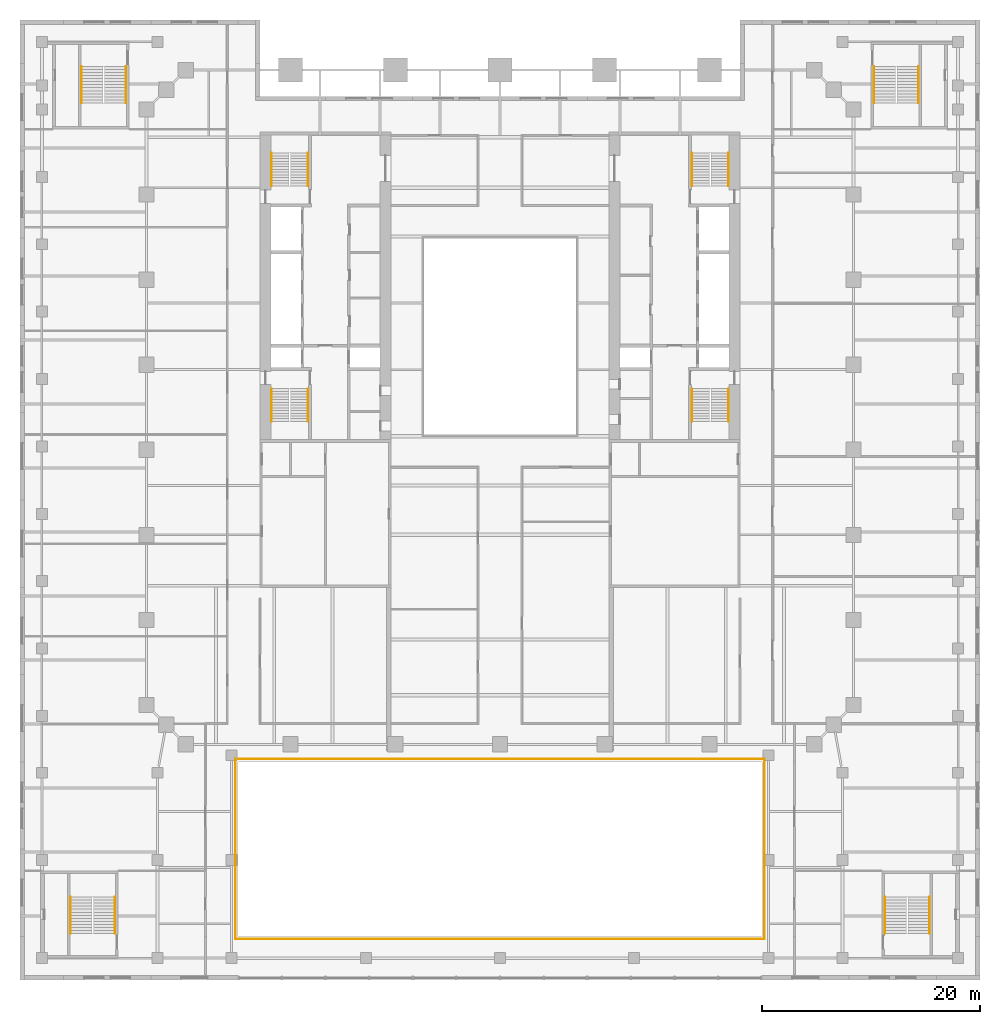
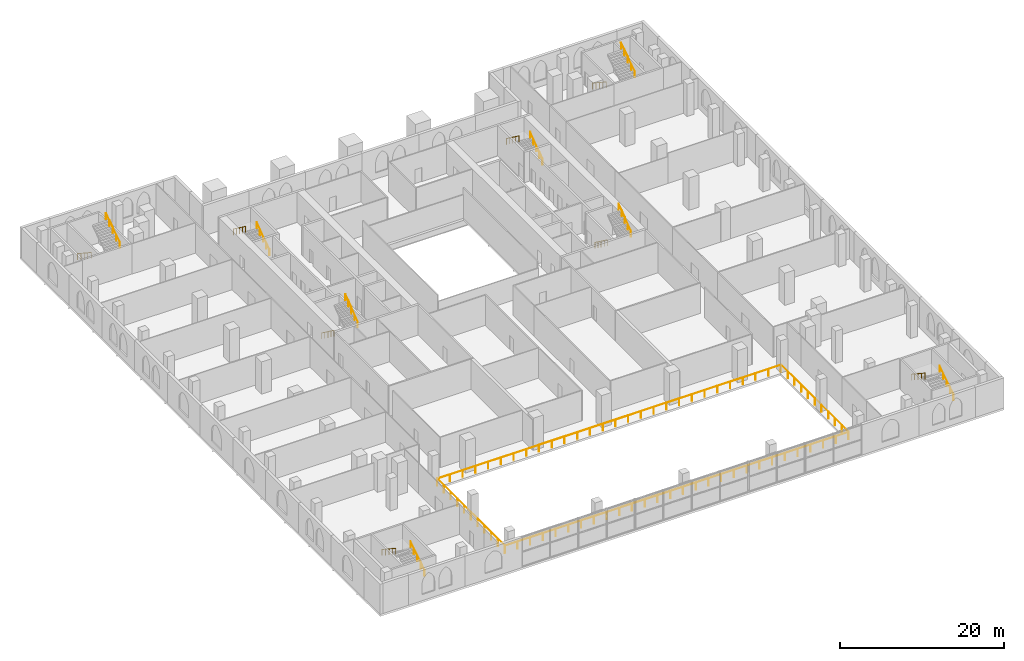
# One storey, part 19 of 19: 20 railings.
"""IFC4 building model written with IfcOpenShell, lengths in metres."""

from ifc_helpers import new_model, si_unit, direction, frame, origin, origin_2d, place, context, subcontext, project, spatial, circle, extrude, material, type_object, element, save


model = new_model("IFC4")

# Units and contexts
model_context = context("Model", 3, precision=1e-05, world=origin(), true_north=direction((0.0, 1.0)))
body_context = subcontext(model_context, "Body", "Model", "MODEL_VIEW")
ifc_project = project(units=[si_unit("LENGTHUNIT", "METRE"), si_unit("AREAUNIT", "SQUARE_METRE"), si_unit("VOLUMEUNIT", "CUBIC_METRE"), si_unit("PLANEANGLEUNIT", "RADIAN"), si_unit("MASSUNIT", "GRAM", prefix="KILO")], contexts=[model_context])

# Site, building, storey
site_placement = place(None, origin())
site = spatial("IfcSite", under=ifc_project, at=site_placement, CompositionType="ELEMENT")
building_placement = place(site_placement, origin())
building = spatial("IfcBuilding", under=site, at=building_placement, Name="Ogive Exchange Tower", CompositionType="ELEMENT")
storey_placement = place(building_placement, frame((0.0, 0.0, 19.199951171875)))
storey = spatial("IfcBuildingStorey", under=building, at=storey_placement, Name="L03", CompositionType="ELEMENT", Elevation=19.199951171875)

# Railings
ifc_material_1 = material(Name="Stainless steel 316", Category="steel")
railing_type_1 = type_object("IfcRailingType", Name="Balustrade 1100 glass and stainless steel", PredefinedType="BALUSTRADE", material=ifc_material_1)
railing_1_placement = place(storey_placement, frame((-24.25, -48.25, 0.0)))
element("IfcRailing", 1, at=railing_1_placement, inside=storey, type_object=railing_type_1, Name="Galleria edge balustrade 1", PredefinedType="BALUSTRADE", context=body_context, shape_type="SweptSolid", body=[
    extrude(circle(Radius=0.02392578125, at=origin_2d()), frame((0.0, 0.0, 1.076171875), z_axis=(1.0, 0.0, 0.0), x_axis=(0.0, 1.0, 0.0)), (0.0, 0.0, 1.0), 48.5),
    extrude(circle(Radius=0.02099609375, at=origin_2d()), origin(), (0.0, 0.0, 1.0), 1.052001953125),
    extrude(circle(Radius=0.02099609375, at=origin_2d()), frame((1.79638671875, 0.0, 0.0)), (0.0, 0.0, 1.0), 1.052001953125),
    extrude(circle(Radius=0.02099609375, at=origin_2d()), frame((3.592529296875, 0.0, 0.0)), (0.0, 0.0, 1.0), 1.052001953125),
    extrude(circle(Radius=0.02099609375, at=origin_2d()), frame((5.388916015625, 0.0, 0.0)), (0.0, 0.0, 1.0), 1.052001953125),
    extrude(circle(Radius=0.02099609375, at=origin_2d()), frame((7.185302734375, 0.0, 0.0)), (0.0, 0.0, 1.0), 1.052001953125),
    extrude(circle(Radius=0.02099609375, at=origin_2d()), frame((8.9814453125, 0.0, 0.0)), (0.0, 0.0, 1.0), 1.052001953125),
    extrude(circle(Radius=0.02099609375, at=origin_2d()), frame((10.77783203125, 0.0, 0.0)), (0.0, 0.0, 1.0), 1.052001953125),
    extrude(circle(Radius=0.02099609375, at=origin_2d()), frame((12.573974609375, 0.0, 0.0)), (0.0, 0.0, 1.0), 1.052001953125),
    extrude(circle(Radius=0.02099609375, at=origin_2d()), frame((14.370361328125, 0.0, 0.0)), (0.0, 0.0, 1.0), 1.052001953125),
    extrude(circle(Radius=0.02099609375, at=origin_2d()), frame((16.166748046875, 0.0, 0.0)), (0.0, 0.0, 1.0), 1.052001953125),
    extrude(circle(Radius=0.02099609375, at=origin_2d()), frame((17.962890625, 0.0, 0.0)), (0.0, 0.0, 1.0), 1.052001953125),
    extrude(circle(Radius=0.02099609375, at=origin_2d()), frame((19.75927734375, 0.0, 0.0)), (0.0, 0.0, 1.0), 1.052001953125),
    extrude(circle(Radius=0.02099609375, at=origin_2d()), frame((21.5556640625, 0.0, 0.0)), (0.0, 0.0, 1.0), 1.052001953125),
    extrude(circle(Radius=0.02099609375, at=origin_2d()), frame((23.351806640625, 0.0, 0.0)), (0.0, 0.0, 1.0), 1.052001953125),
    extrude(circle(Radius=0.02099609375, at=origin_2d()), frame((25.148193359375, 0.0, 0.0)), (0.0, 0.0, 1.0), 1.052001953125),
    extrude(circle(Radius=0.02099609375, at=origin_2d()), frame((26.9443359375, 0.0, 0.0)), (0.0, 0.0, 1.0), 1.052001953125),
    extrude(circle(Radius=0.02099609375, at=origin_2d()), frame((28.74072265625, 0.0, 0.0)), (0.0, 0.0, 1.0), 1.052001953125),
    extrude(circle(Radius=0.02099609375, at=origin_2d()), frame((30.537109375, 0.0, 0.0)), (0.0, 0.0, 1.0), 1.052001953125),
    extrude(circle(Radius=0.02099609375, at=origin_2d()), frame((32.333251953125, 0.0, 0.0)), (0.0, 0.0, 1.0), 1.052001953125),
    extrude(circle(Radius=0.02099609375, at=origin_2d()), frame((34.129638671875, 0.0, 0.0)), (0.0, 0.0, 1.0), 1.052001953125),
    extrude(circle(Radius=0.02099609375, at=origin_2d()), frame((35.926025390625, 0.0, 0.0)), (0.0, 0.0, 1.0), 1.052001953125),
    extrude(circle(Radius=0.02099609375, at=origin_2d()), frame((37.72216796875, 0.0, 0.0)), (0.0, 0.0, 1.0), 1.052001953125),
    extrude(circle(Radius=0.02099609375, at=origin_2d()), frame((39.5185546875, 0.0, 0.0)), (0.0, 0.0, 1.0), 1.052001953125),
    extrude(circle(Radius=0.02099609375, at=origin_2d()), frame((41.314697265625, 0.0, 0.0)), (0.0, 0.0, 1.0), 1.052001953125),
    extrude(circle(Radius=0.02099609375, at=origin_2d()), frame((43.111083984375, 0.0, 0.0)), (0.0, 0.0, 1.0), 1.052001953125),
    extrude(circle(Radius=0.02099609375, at=origin_2d()), frame((44.907470703125, 0.0, 0.0)), (0.0, 0.0, 1.0), 1.052001953125),
    extrude(circle(Radius=0.02099609375, at=origin_2d()), frame((46.70361328125, 0.0, 0.0)), (0.0, 0.0, 1.0), 1.052001953125),
    extrude(circle(Radius=0.02099609375, at=origin_2d()), frame((48.5, 0.0, 0.0)), (0.0, 0.0, 1.0), 1.052001953125),
])
railing_2_placement = place(storey_placement, frame((24.25, -48.25, 0.0)))
element("IfcRailing", 2, at=railing_2_placement, inside=storey, type_object=railing_type_1, Name="Galleria edge balustrade 2", PredefinedType="BALUSTRADE", context=body_context, shape_type="SweptSolid", body=[
    extrude(circle(Radius=0.02392578125, at=origin_2d()), frame((0.0, 0.0, 1.076171875), z_axis=(0.0, 1.0, 0.0), x_axis=(-1.0, 0.0, 0.0)), (0.0, 0.0, 1.0), 16.5),
    extrude(circle(Radius=0.02099609375, at=origin_2d()), origin(), (0.0, 0.0, 1.0), 1.052001953125),
    extrude(circle(Radius=0.02099609375, at=origin_2d()), frame((0.0, 1.64990234375, 0.0)), (0.0, 0.0, 1.0), 1.052001953125),
    extrude(circle(Radius=0.02099609375, at=origin_2d()), frame((0.0, 3.300048828125, 0.0)), (0.0, 0.0, 1.0), 1.052001953125),
    extrude(circle(Radius=0.02099609375, at=origin_2d()), frame((0.0, 4.949951171875, 0.0)), (0.0, 0.0, 1.0), 1.052001953125),
    extrude(circle(Radius=0.02099609375, at=origin_2d()), frame((0.0, 6.60009765625, 0.0)), (0.0, 0.0, 1.0), 1.052001953125),
    extrude(circle(Radius=0.02099609375, at=origin_2d()), frame((0.0, 8.25, 0.0)), (0.0, 0.0, 1.0), 1.052001953125),
    extrude(circle(Radius=0.02099609375, at=origin_2d()), frame((0.0, 9.89990234375, 0.0)), (0.0, 0.0, 1.0), 1.052001953125),
    extrude(circle(Radius=0.02099609375, at=origin_2d()), frame((0.0, 11.550048828125, 0.0)), (0.0, 0.0, 1.0), 1.052001953125),
    extrude(circle(Radius=0.02099609375, at=origin_2d()), frame((0.0, 13.199951171875, 0.0)), (0.0, 0.0, 1.0), 1.052001953125),
    extrude(circle(Radius=0.02099609375, at=origin_2d()), frame((0.0, 14.85009765625, 0.0)), (0.0, 0.0, 1.0), 1.052001953125),
    extrude(circle(Radius=0.02099609375, at=origin_2d()), frame((0.0, 16.5, 0.0)), (0.0, 0.0, 1.0), 1.052001953125),
])
railing_3_placement = place(storey_placement, frame((24.25, -31.75, 0.0)))
element("IfcRailing", 3, at=railing_3_placement, inside=storey, type_object=railing_type_1, Name="Galleria edge balustrade 3", PredefinedType="BALUSTRADE", context=body_context, shape_type="SweptSolid", body=[
    extrude(circle(Radius=0.02392578125, at=origin_2d()), frame((0.0, 0.0, 1.076171875), z_axis=(-1.0, 0.0, 0.0), x_axis=(0.0, -1.0, 0.0)), (0.0, 0.0, 1.0), 48.5),
    extrude(circle(Radius=0.02099609375, at=origin_2d()), origin(), (0.0, 0.0, 1.0), 1.052001953125),
    extrude(circle(Radius=0.02099609375, at=origin_2d()), frame((-1.79638671875, 0.0, 0.0)), (0.0, 0.0, 1.0), 1.052001953125),
    extrude(circle(Radius=0.02099609375, at=origin_2d()), frame((-3.592529296875, 0.0, 0.0)), (0.0, 0.0, 1.0), 1.052001953125),
    extrude(circle(Radius=0.02099609375, at=origin_2d()), frame((-5.388916015625, 0.0, 0.0)), (0.0, 0.0, 1.0), 1.052001953125),
    extrude(circle(Radius=0.02099609375, at=origin_2d()), frame((-7.185302734375, 0.0, 0.0)), (0.0, 0.0, 1.0), 1.052001953125),
    extrude(circle(Radius=0.02099609375, at=origin_2d()), frame((-8.9814453125, 0.0, 0.0)), (0.0, 0.0, 1.0), 1.052001953125),
    extrude(circle(Radius=0.02099609375, at=origin_2d()), frame((-10.77783203125, 0.0, 0.0)), (0.0, 0.0, 1.0), 1.052001953125),
    extrude(circle(Radius=0.02099609375, at=origin_2d()), frame((-12.573974609375, 0.0, 0.0)), (0.0, 0.0, 1.0), 1.052001953125),
    extrude(circle(Radius=0.02099609375, at=origin_2d()), frame((-14.370361328125, 0.0, 0.0)), (0.0, 0.0, 1.0), 1.052001953125),
    extrude(circle(Radius=0.02099609375, at=origin_2d()), frame((-16.166748046875, 0.0, 0.0)), (0.0, 0.0, 1.0), 1.052001953125),
    extrude(circle(Radius=0.02099609375, at=origin_2d()), frame((-17.962890625, 0.0, 0.0)), (0.0, 0.0, 1.0), 1.052001953125),
    extrude(circle(Radius=0.02099609375, at=origin_2d()), frame((-19.75927734375, 0.0, 0.0)), (0.0, 0.0, 1.0), 1.052001953125),
    extrude(circle(Radius=0.02099609375, at=origin_2d()), frame((-21.5556640625, 0.0, 0.0)), (0.0, 0.0, 1.0), 1.052001953125),
    extrude(circle(Radius=0.02099609375, at=origin_2d()), frame((-23.351806640625, 0.0, 0.0)), (0.0, 0.0, 1.0), 1.052001953125),
    extrude(circle(Radius=0.02099609375, at=origin_2d()), frame((-25.148193359375, 0.0, 0.0)), (0.0, 0.0, 1.0), 1.052001953125),
    extrude(circle(Radius=0.02099609375, at=origin_2d()), frame((-26.9443359375, 0.0, 0.0)), (0.0, 0.0, 1.0), 1.052001953125),
    extrude(circle(Radius=0.02099609375, at=origin_2d()), frame((-28.74072265625, 0.0, 0.0)), (0.0, 0.0, 1.0), 1.052001953125),
    extrude(circle(Radius=0.02099609375, at=origin_2d()), frame((-30.537109375, 0.0, 0.0)), (0.0, 0.0, 1.0), 1.052001953125),
    extrude(circle(Radius=0.02099609375, at=origin_2d()), frame((-32.333251953125, 0.0, 0.0)), (0.0, 0.0, 1.0), 1.052001953125),
    extrude(circle(Radius=0.02099609375, at=origin_2d()), frame((-34.129638671875, 0.0, 0.0)), (0.0, 0.0, 1.0), 1.052001953125),
    extrude(circle(Radius=0.02099609375, at=origin_2d()), frame((-35.926025390625, 0.0, 0.0)), (0.0, 0.0, 1.0), 1.052001953125),
    extrude(circle(Radius=0.02099609375, at=origin_2d()), frame((-37.72216796875, 0.0, 0.0)), (0.0, 0.0, 1.0), 1.052001953125),
    extrude(circle(Radius=0.02099609375, at=origin_2d()), frame((-39.5185546875, 0.0, 0.0)), (0.0, 0.0, 1.0), 1.052001953125),
    extrude(circle(Radius=0.02099609375, at=origin_2d()), frame((-41.314697265625, 0.0, 0.0)), (0.0, 0.0, 1.0), 1.052001953125),
    extrude(circle(Radius=0.02099609375, at=origin_2d()), frame((-43.111083984375, 0.0, 0.0)), (0.0, 0.0, 1.0), 1.052001953125),
    extrude(circle(Radius=0.02099609375, at=origin_2d()), frame((-44.907470703125, 0.0, 0.0)), (0.0, 0.0, 1.0), 1.052001953125),
    extrude(circle(Radius=0.02099609375, at=origin_2d()), frame((-46.70361328125, 0.0, 0.0)), (0.0, 0.0, 1.0), 1.052001953125),
    extrude(circle(Radius=0.02099609375, at=origin_2d()), frame((-48.5, 0.0, 0.0)), (0.0, 0.0, 1.0), 1.052001953125),
])
railing_4_placement = place(storey_placement, frame((-24.25, -31.75, 0.0)))
element("IfcRailing", 4, at=railing_4_placement, inside=storey, type_object=railing_type_1, Name="Galleria edge balustrade 4", PredefinedType="BALUSTRADE", context=body_context, shape_type="SweptSolid", body=[
    extrude(circle(Radius=0.02392578125, at=origin_2d()), frame((0.0, 0.0, 1.076171875), z_axis=(0.0, -1.0, 0.0), x_axis=(1.0, 0.0, 0.0)), (0.0, 0.0, 1.0), 16.5),
    extrude(circle(Radius=0.02099609375, at=origin_2d()), origin(), (0.0, 0.0, 1.0), 1.052001953125),
    extrude(circle(Radius=0.02099609375, at=origin_2d()), frame((0.0, -1.64990234375, 0.0)), (0.0, 0.0, 1.0), 1.052001953125),
    extrude(circle(Radius=0.02099609375, at=origin_2d()), frame((0.0, -3.300048828125, 0.0)), (0.0, 0.0, 1.0), 1.052001953125),
    extrude(circle(Radius=0.02099609375, at=origin_2d()), frame((0.0, -4.949951171875, 0.0)), (0.0, 0.0, 1.0), 1.052001953125),
    extrude(circle(Radius=0.02099609375, at=origin_2d()), frame((0.0, -6.60009765625, 0.0)), (0.0, 0.0, 1.0), 1.052001953125),
    extrude(circle(Radius=0.02099609375, at=origin_2d()), frame((0.0, -8.25, 0.0)), (0.0, 0.0, 1.0), 1.052001953125),
    extrude(circle(Radius=0.02099609375, at=origin_2d()), frame((0.0, -9.89990234375, 0.0)), (0.0, 0.0, 1.0), 1.052001953125),
    extrude(circle(Radius=0.02099609375, at=origin_2d()), frame((0.0, -11.550048828125, 0.0)), (0.0, 0.0, 1.0), 1.052001953125),
    extrude(circle(Radius=0.02099609375, at=origin_2d()), frame((0.0, -13.199951171875, 0.0)), (0.0, 0.0, 1.0), 1.052001953125),
    extrude(circle(Radius=0.02099609375, at=origin_2d()), frame((0.0, -14.85009765625, 0.0)), (0.0, 0.0, 1.0), 1.052001953125),
    extrude(circle(Radius=0.02099609375, at=origin_2d()), frame((0.0, -16.5, 0.0)), (0.0, 0.0, 1.0), 1.052001953125),
])
ifc_material_2 = material(Name="Stainless steel", Category="steel")
railing_type_2 = type_object("IfcRailingType", Name="Stair handrail 900", PredefinedType="HANDRAIL", material=ifc_material_2)
railing_5_placement = place(storey_placement, frame((-20.949951171875, 2.199951171875, 0.1845703125)))
element("IfcRailing", 5, at=railing_5_placement, inside=storey, type_object=railing_type_2, Name="L03 ST1 stair handrail 1", PredefinedType="HANDRAIL", context=body_context, shape_type="SweptSolid", body=[
    extrude(circle(Radius=0.02392578125, at=origin_2d()), frame((0.0, 0.0, 0.8759765625), z_axis=(0.0, -0.804408721428, 0.594076265214), x_axis=(1.0, 0.0, 0.0)), (0.0, 0.0, 1.0), 3.7294921875),
    extrude(circle(Radius=0.02099609375, at=origin_2d()), origin(), (0.0, 0.0, 1.0), 0.851806640625),
    extrude(circle(Radius=0.02099609375, at=origin_2d()), frame((0.0, -0.75, 0.553955078125)), (0.0, 0.0, 1.0), 0.851806640625),
    extrude(circle(Radius=0.02099609375, at=origin_2d()), frame((0.0, -1.5, 1.10791015625)), (0.0, 0.0, 1.0), 0.851806640625),
    extrude(circle(Radius=0.02099609375, at=origin_2d()), frame((0.0, -2.25, 1.66162109375)), (0.0, 0.0, 1.0), 0.851806640625),
    extrude(circle(Radius=0.02099609375, at=origin_2d()), frame((0.0, -3.0, 2.215576171875)), (0.0, 0.0, 1.0), 0.851806640625),
])
railing_6_placement = place(storey_placement, frame((-17.60009765625, -0.800048828125, 2.584716796875)))
element("IfcRailing", 6, at=railing_6_placement, inside=storey, type_object=railing_type_2, Name="L03 ST1 stair handrail 2", PredefinedType="HANDRAIL", context=body_context, shape_type="SweptSolid", body=[
    extrude(circle(Radius=0.02392578125, at=origin_2d()), frame((0.0, 0.0, 0.8759765625), z_axis=(0.0, 0.804440004972, 0.594033903411), x_axis=(-1.0, 0.0, 0.0)), (0.0, 0.0, 1.0), 3.729248046875),
    extrude(circle(Radius=0.02099609375, at=origin_2d()), origin(), (0.0, 0.0, 1.0), 0.851806640625),
    extrude(circle(Radius=0.02099609375, at=origin_2d()), frame((0.0, 0.75, 0.5537109375)), (0.0, 0.0, 1.0), 0.851806640625),
    extrude(circle(Radius=0.02099609375, at=origin_2d()), frame((0.0, 1.5, 1.107666015625)), (0.0, 0.0, 1.0), 0.851806640625),
    extrude(circle(Radius=0.02099609375, at=origin_2d()), frame((0.0, 2.25, 1.66162109375)), (0.0, 0.0, 1.0), 0.851806640625),
    extrude(circle(Radius=0.02099609375, at=origin_2d()), frame((0.0, 3.0, 2.21533203125)), (0.0, 0.0, 1.0), 0.851806640625),
])
railing_7_placement = place(storey_placement, frame((-17.60009765625, 20.800048828125, 0.1845703125)))
element("IfcRailing", 7, at=railing_7_placement, inside=storey, type_object=railing_type_2, Name="L03 ST2 stair handrail 1", PredefinedType="HANDRAIL", context=body_context, shape_type="SweptSolid", body=[
    extrude(circle(Radius=0.02392578125, at=origin_2d()), frame((0.0, 0.0, 0.8759765625), z_axis=(0.0, 0.804408721428, 0.594076265214), x_axis=(-1.0, 0.0, 0.0)), (0.0, 0.0, 1.0), 3.7294921875),
    extrude(circle(Radius=0.02099609375, at=origin_2d()), origin(), (0.0, 0.0, 1.0), 0.851806640625),
    extrude(circle(Radius=0.02099609375, at=origin_2d()), frame((0.0, 0.75, 0.553955078125)), (0.0, 0.0, 1.0), 0.851806640625),
    extrude(circle(Radius=0.02099609375, at=origin_2d()), frame((0.0, 1.5, 1.10791015625)), (0.0, 0.0, 1.0), 0.851806640625),
    extrude(circle(Radius=0.02099609375, at=origin_2d()), frame((0.0, 2.25, 1.66162109375)), (0.0, 0.0, 1.0), 0.851806640625),
    extrude(circle(Radius=0.02099609375, at=origin_2d()), frame((0.0, 3.0, 2.215576171875)), (0.0, 0.0, 1.0), 0.851806640625),
])
railing_8_placement = place(storey_placement, frame((-20.949951171875, 23.800048828125, 2.584716796875)))
element("IfcRailing", 8, at=railing_8_placement, inside=storey, type_object=railing_type_2, Name="L03 ST2 stair handrail 2", PredefinedType="HANDRAIL", context=body_context, shape_type="SweptSolid", body=[
    extrude(circle(Radius=0.02392578125, at=origin_2d()), frame((0.0, 0.0, 0.8759765625), z_axis=(0.0, -0.804440004972, 0.594033903411), x_axis=(1.0, 0.0, 0.0)), (0.0, 0.0, 1.0), 3.729248046875),
    extrude(circle(Radius=0.02099609375, at=origin_2d()), origin(), (0.0, 0.0, 1.0), 0.851806640625),
    extrude(circle(Radius=0.02099609375, at=origin_2d()), frame((0.0, -0.75, 0.5537109375)), (0.0, 0.0, 1.0), 0.851806640625),
    extrude(circle(Radius=0.02099609375, at=origin_2d()), frame((0.0, -1.5, 1.107666015625)), (0.0, 0.0, 1.0), 0.851806640625),
    extrude(circle(Radius=0.02099609375, at=origin_2d()), frame((0.0, -2.25, 1.66162109375)), (0.0, 0.0, 1.0), 0.851806640625),
    extrude(circle(Radius=0.02099609375, at=origin_2d()), frame((0.0, -3.0, 2.21533203125)), (0.0, 0.0, 1.0), 0.851806640625),
])
railing_9_placement = place(storey_placement, frame((17.60009765625, 2.199951171875, 0.1845703125)))
element("IfcRailing", 9, at=railing_9_placement, inside=storey, type_object=railing_type_2, Name="L03 ST3 stair handrail 1", PredefinedType="HANDRAIL", context=body_context, shape_type="SweptSolid", body=[
    extrude(circle(Radius=0.02392578125, at=origin_2d()), frame((0.0, 0.0, 0.8759765625), z_axis=(0.0, -0.804408721428, 0.594076265214), x_axis=(1.0, 0.0, 0.0)), (0.0, 0.0, 1.0), 3.7294921875),
    extrude(circle(Radius=0.02099609375, at=origin_2d()), origin(), (0.0, 0.0, 1.0), 0.851806640625),
    extrude(circle(Radius=0.02099609375, at=origin_2d()), frame((0.0, -0.75, 0.553955078125)), (0.0, 0.0, 1.0), 0.851806640625),
    extrude(circle(Radius=0.02099609375, at=origin_2d()), frame((0.0, -1.5, 1.10791015625)), (0.0, 0.0, 1.0), 0.851806640625),
    extrude(circle(Radius=0.02099609375, at=origin_2d()), frame((0.0, -2.25, 1.66162109375)), (0.0, 0.0, 1.0), 0.851806640625),
    extrude(circle(Radius=0.02099609375, at=origin_2d()), frame((0.0, -3.0, 2.215576171875)), (0.0, 0.0, 1.0), 0.851806640625),
])
railing_10_placement = place(storey_placement, frame((20.949951171875, -0.800048828125, 2.584716796875)))
element("IfcRailing", 10, at=railing_10_placement, inside=storey, type_object=railing_type_2, Name="L03 ST3 stair handrail 2", PredefinedType="HANDRAIL", context=body_context, shape_type="SweptSolid", body=[
    extrude(circle(Radius=0.02392578125, at=origin_2d()), frame((0.0, 0.0, 0.8759765625), z_axis=(0.0, 0.804440004972, 0.594033903411), x_axis=(-1.0, 0.0, 0.0)), (0.0, 0.0, 1.0), 3.729248046875),
    extrude(circle(Radius=0.02099609375, at=origin_2d()), origin(), (0.0, 0.0, 1.0), 0.851806640625),
    extrude(circle(Radius=0.02099609375, at=origin_2d()), frame((0.0, 0.75, 0.5537109375)), (0.0, 0.0, 1.0), 0.851806640625),
    extrude(circle(Radius=0.02099609375, at=origin_2d()), frame((0.0, 1.5, 1.107666015625)), (0.0, 0.0, 1.0), 0.851806640625),
    extrude(circle(Radius=0.02099609375, at=origin_2d()), frame((0.0, 2.25, 1.66162109375)), (0.0, 0.0, 1.0), 0.851806640625),
    extrude(circle(Radius=0.02099609375, at=origin_2d()), frame((0.0, 3.0, 2.21533203125)), (0.0, 0.0, 1.0), 0.851806640625),
])
railing_11_placement = place(storey_placement, frame((20.949951171875, 20.800048828125, 0.1845703125)))
element("IfcRailing", 11, at=railing_11_placement, inside=storey, type_object=railing_type_2, Name="L03 ST4 stair handrail 1", PredefinedType="HANDRAIL", context=body_context, shape_type="SweptSolid", body=[
    extrude(circle(Radius=0.02392578125, at=origin_2d()), frame((0.0, 0.0, 0.8759765625), z_axis=(0.0, 0.804408721428, 0.594076265214), x_axis=(-1.0, 0.0, 0.0)), (0.0, 0.0, 1.0), 3.7294921875),
    extrude(circle(Radius=0.02099609375, at=origin_2d()), origin(), (0.0, 0.0, 1.0), 0.851806640625),
    extrude(circle(Radius=0.02099609375, at=origin_2d()), frame((0.0, 0.75, 0.553955078125)), (0.0, 0.0, 1.0), 0.851806640625),
    extrude(circle(Radius=0.02099609375, at=origin_2d()), frame((0.0, 1.5, 1.10791015625)), (0.0, 0.0, 1.0), 0.851806640625),
    extrude(circle(Radius=0.02099609375, at=origin_2d()), frame((0.0, 2.25, 1.66162109375)), (0.0, 0.0, 1.0), 0.851806640625),
    extrude(circle(Radius=0.02099609375, at=origin_2d()), frame((0.0, 3.0, 2.215576171875)), (0.0, 0.0, 1.0), 0.851806640625),
])
railing_12_placement = place(storey_placement, frame((17.60009765625, 23.800048828125, 2.584716796875)))
element("IfcRailing", 12, at=railing_12_placement, inside=storey, type_object=railing_type_2, Name="L03 ST4 stair handrail 2", PredefinedType="HANDRAIL", context=body_context, shape_type="SweptSolid", body=[
    extrude(circle(Radius=0.02392578125, at=origin_2d()), frame((0.0, 0.0, 0.8759765625), z_axis=(0.0, -0.804440004972, 0.594033903411), x_axis=(1.0, 0.0, 0.0)), (0.0, 0.0, 1.0), 3.729248046875),
    extrude(circle(Radius=0.02099609375, at=origin_2d()), origin(), (0.0, 0.0, 1.0), 0.851806640625),
    extrude(circle(Radius=0.02099609375, at=origin_2d()), frame((0.0, -0.75, 0.5537109375)), (0.0, 0.0, 1.0), 0.851806640625),
    extrude(circle(Radius=0.02099609375, at=origin_2d()), frame((0.0, -1.5, 1.107666015625)), (0.0, 0.0, 1.0), 0.851806640625),
    extrude(circle(Radius=0.02099609375, at=origin_2d()), frame((0.0, -2.25, 1.66162109375)), (0.0, 0.0, 1.0), 0.851806640625),
    extrude(circle(Radius=0.02099609375, at=origin_2d()), frame((0.0, -3.0, 2.21533203125)), (0.0, 0.0, 1.0), 0.851806640625),
])
railing_13_placement = place(storey_placement, frame((-35.300048828125, -47.75, 0.1845703125)))
element("IfcRailing", 13, at=railing_13_placement, inside=storey, type_object=railing_type_2, Name="L03 PS1 stair handrail 1", PredefinedType="HANDRAIL", context=body_context, shape_type="SweptSolid", body=[
    extrude(circle(Radius=0.02392578125, at=origin_2d()), frame((0.0, 0.0, 0.8759765625), z_axis=(0.0, 0.834848600103, 0.550479622607), x_axis=(-1.0, 0.0, 0.0)), (0.0, 0.0, 1.0), 4.02490234375),
    extrude(circle(Radius=0.02099609375, at=origin_2d()), origin(), (0.0, 0.0, 1.0), 0.851806640625),
    extrude(circle(Radius=0.02099609375, at=origin_2d()), frame((0.0, 0.840087890625, 0.553955078125)), (0.0, 0.0, 1.0), 0.851806640625),
    extrude(circle(Radius=0.02099609375, at=origin_2d()), frame((0.0, 1.68017578125, 1.10791015625)), (0.0, 0.0, 1.0), 0.851806640625),
    extrude(circle(Radius=0.02099609375, at=origin_2d()), frame((0.0, 2.52001953125, 1.66162109375)), (0.0, 0.0, 1.0), 0.851806640625),
    extrude(circle(Radius=0.02099609375, at=origin_2d()), frame((0.0, 3.360107421875, 2.215576171875)), (0.0, 0.0, 1.0), 0.851806640625),
])
railing_14_placement = place(storey_placement, frame((-39.35009765625, -44.389892578125, 2.584716796875)))
element("IfcRailing", 14, at=railing_14_placement, inside=storey, type_object=railing_type_2, Name="L03 PS1 stair handrail 2", PredefinedType="HANDRAIL", context=body_context, shape_type="SweptSolid", body=[
    extrude(circle(Radius=0.02392578125, at=origin_2d()), frame((0.0, 0.0, 0.8759765625), z_axis=(0.0, -0.834876476806, 0.550437342915), x_axis=(1.0, 0.0, 0.0)), (0.0, 0.0, 1.0), 4.024658203125),
    extrude(circle(Radius=0.02099609375, at=origin_2d()), origin(), (0.0, 0.0, 1.0), 0.851806640625),
    extrude(circle(Radius=0.02099609375, at=origin_2d()), frame((0.0, -0.840087890625, 0.5537109375)), (0.0, 0.0, 1.0), 0.851806640625),
    extrude(circle(Radius=0.02099609375, at=origin_2d()), frame((0.0, -1.68017578125, 1.107666015625)), (0.0, 0.0, 1.0), 0.851806640625),
    extrude(circle(Radius=0.02099609375, at=origin_2d()), frame((0.0, -2.52001953125, 1.66162109375)), (0.0, 0.0, 1.0), 0.851806640625),
    extrude(circle(Radius=0.02099609375, at=origin_2d()), frame((0.0, -3.360107421875, 2.21533203125)), (0.0, 0.0, 1.0), 0.851806640625),
])
railing_15_placement = place(storey_placement, frame((39.35009765625, -47.75, 0.1845703125)))
element("IfcRailing", 15, at=railing_15_placement, inside=storey, type_object=railing_type_2, Name="L03 PS2 stair handrail 1", PredefinedType="HANDRAIL", context=body_context, shape_type="SweptSolid", body=[
    extrude(circle(Radius=0.02392578125, at=origin_2d()), frame((0.0, 0.0, 0.8759765625), z_axis=(0.0, 0.834848600103, 0.550479622607), x_axis=(-1.0, 0.0, 0.0)), (0.0, 0.0, 1.0), 4.02490234375),
    extrude(circle(Radius=0.02099609375, at=origin_2d()), origin(), (0.0, 0.0, 1.0), 0.851806640625),
    extrude(circle(Radius=0.02099609375, at=origin_2d()), frame((0.0, 0.840087890625, 0.553955078125)), (0.0, 0.0, 1.0), 0.851806640625),
    extrude(circle(Radius=0.02099609375, at=origin_2d()), frame((0.0, 1.68017578125, 1.10791015625)), (0.0, 0.0, 1.0), 0.851806640625),
    extrude(circle(Radius=0.02099609375, at=origin_2d()), frame((0.0, 2.52001953125, 1.66162109375)), (0.0, 0.0, 1.0), 0.851806640625),
    extrude(circle(Radius=0.02099609375, at=origin_2d()), frame((0.0, 3.360107421875, 2.215576171875)), (0.0, 0.0, 1.0), 0.851806640625),
])
railing_16_placement = place(storey_placement, frame((35.300048828125, -44.389892578125, 2.584716796875)))
element("IfcRailing", 16, at=railing_16_placement, inside=storey, type_object=railing_type_2, Name="L03 PS2 stair handrail 2", PredefinedType="HANDRAIL", context=body_context, shape_type="SweptSolid", body=[
    extrude(circle(Radius=0.02392578125, at=origin_2d()), frame((0.0, 0.0, 0.8759765625), z_axis=(0.0, -0.834876476806, 0.550437342915), x_axis=(1.0, 0.0, 0.0)), (0.0, 0.0, 1.0), 4.024658203125),
    extrude(circle(Radius=0.02099609375, at=origin_2d()), origin(), (0.0, 0.0, 1.0), 0.851806640625),
    extrude(circle(Radius=0.02099609375, at=origin_2d()), frame((0.0, -0.840087890625, 0.5537109375)), (0.0, 0.0, 1.0), 0.851806640625),
    extrude(circle(Radius=0.02099609375, at=origin_2d()), frame((0.0, -1.68017578125, 1.107666015625)), (0.0, 0.0, 1.0), 0.851806640625),
    extrude(circle(Radius=0.02099609375, at=origin_2d()), frame((0.0, -2.52001953125, 1.66162109375)), (0.0, 0.0, 1.0), 0.851806640625),
    extrude(circle(Radius=0.02099609375, at=origin_2d()), frame((0.0, -3.360107421875, 2.21533203125)), (0.0, 0.0, 1.0), 0.851806640625),
])
railing_17_placement = place(storey_placement, frame((-38.35009765625, 31.75, 0.1845703125)))
element("IfcRailing", 17, at=railing_17_placement, inside=storey, type_object=railing_type_2, Name="L03 PS3 stair handrail 1", PredefinedType="HANDRAIL", context=body_context, shape_type="SweptSolid", body=[
    extrude(circle(Radius=0.02392578125, at=origin_2d()), frame((0.0, 0.0, 0.8759765625), z_axis=(0.0, -0.834848600103, 0.550479622607), x_axis=(1.0, 0.0, 0.0)), (0.0, 0.0, 1.0), 4.02490234375),
    extrude(circle(Radius=0.02099609375, at=origin_2d()), origin(), (0.0, 0.0, 1.0), 0.851806640625),
    extrude(circle(Radius=0.02099609375, at=origin_2d()), frame((0.0, -0.840087890625, 0.553955078125)), (0.0, 0.0, 1.0), 0.851806640625),
    extrude(circle(Radius=0.02099609375, at=origin_2d()), frame((0.0, -1.68017578125, 1.10791015625)), (0.0, 0.0, 1.0), 0.851806640625),
    extrude(circle(Radius=0.02099609375, at=origin_2d()), frame((0.0, -2.52001953125, 1.66162109375)), (0.0, 0.0, 1.0), 0.851806640625),
    extrude(circle(Radius=0.02099609375, at=origin_2d()), frame((0.0, -3.360107421875, 2.215576171875)), (0.0, 0.0, 1.0), 0.851806640625),
])
railing_18_placement = place(storey_placement, frame((-34.300048828125, 28.389892578125, 2.584716796875)))
element("IfcRailing", 18, at=railing_18_placement, inside=storey, type_object=railing_type_2, Name="L03 PS3 stair handrail 2", PredefinedType="HANDRAIL", context=body_context, shape_type="SweptSolid", body=[
    extrude(circle(Radius=0.02392578125, at=origin_2d()), frame((0.0, 0.0, 0.8759765625), z_axis=(0.0, 0.834876476806, 0.550437342915), x_axis=(-1.0, 0.0, 0.0)), (0.0, 0.0, 1.0), 4.024658203125),
    extrude(circle(Radius=0.02099609375, at=origin_2d()), origin(), (0.0, 0.0, 1.0), 0.851806640625),
    extrude(circle(Radius=0.02099609375, at=origin_2d()), frame((0.0, 0.840087890625, 0.5537109375)), (0.0, 0.0, 1.0), 0.851806640625),
    extrude(circle(Radius=0.02099609375, at=origin_2d()), frame((0.0, 1.68017578125, 1.107666015625)), (0.0, 0.0, 1.0), 0.851806640625),
    extrude(circle(Radius=0.02099609375, at=origin_2d()), frame((0.0, 2.52001953125, 1.66162109375)), (0.0, 0.0, 1.0), 0.851806640625),
    extrude(circle(Radius=0.02099609375, at=origin_2d()), frame((0.0, 3.360107421875, 2.21533203125)), (0.0, 0.0, 1.0), 0.851806640625),
])
railing_19_placement = place(storey_placement, frame((34.300048828125, 31.75, 0.1845703125)))
element("IfcRailing", 19, at=railing_19_placement, inside=storey, type_object=railing_type_2, Name="L03 PS4 stair handrail 1", PredefinedType="HANDRAIL", context=body_context, shape_type="SweptSolid", body=[
    extrude(circle(Radius=0.02392578125, at=origin_2d()), frame((0.0, 0.0, 0.8759765625), z_axis=(0.0, -0.834848600103, 0.550479622607), x_axis=(1.0, 0.0, 0.0)), (0.0, 0.0, 1.0), 4.02490234375),
    extrude(circle(Radius=0.02099609375, at=origin_2d()), origin(), (0.0, 0.0, 1.0), 0.851806640625),
    extrude(circle(Radius=0.02099609375, at=origin_2d()), frame((0.0, -0.840087890625, 0.553955078125)), (0.0, 0.0, 1.0), 0.851806640625),
    extrude(circle(Radius=0.02099609375, at=origin_2d()), frame((0.0, -1.68017578125, 1.10791015625)), (0.0, 0.0, 1.0), 0.851806640625),
    extrude(circle(Radius=0.02099609375, at=origin_2d()), frame((0.0, -2.52001953125, 1.66162109375)), (0.0, 0.0, 1.0), 0.851806640625),
    extrude(circle(Radius=0.02099609375, at=origin_2d()), frame((0.0, -3.360107421875, 2.215576171875)), (0.0, 0.0, 1.0), 0.851806640625),
])
railing_20_placement = place(storey_placement, frame((38.35009765625, 28.389892578125, 2.584716796875)))
element("IfcRailing", 20, at=railing_20_placement, inside=storey, type_object=railing_type_2, Name="L03 PS4 stair handrail 2", PredefinedType="HANDRAIL", context=body_context, shape_type="SweptSolid", body=[
    extrude(circle(Radius=0.02392578125, at=origin_2d()), frame((0.0, 0.0, 0.8759765625), z_axis=(0.0, 0.834876476806, 0.550437342915), x_axis=(-1.0, 0.0, 0.0)), (0.0, 0.0, 1.0), 4.024658203125),
    extrude(circle(Radius=0.02099609375, at=origin_2d()), origin(), (0.0, 0.0, 1.0), 0.851806640625),
    extrude(circle(Radius=0.02099609375, at=origin_2d()), frame((0.0, 0.840087890625, 0.5537109375)), (0.0, 0.0, 1.0), 0.851806640625),
    extrude(circle(Radius=0.02099609375, at=origin_2d()), frame((0.0, 1.68017578125, 1.107666015625)), (0.0, 0.0, 1.0), 0.851806640625),
    extrude(circle(Radius=0.02099609375, at=origin_2d()), frame((0.0, 2.52001953125, 1.66162109375)), (0.0, 0.0, 1.0), 0.851806640625),
    extrude(circle(Radius=0.02099609375, at=origin_2d()), frame((0.0, 3.360107421875, 2.21533203125)), (0.0, 0.0, 1.0), 0.851806640625),
])

save(model, "model.ifc")
